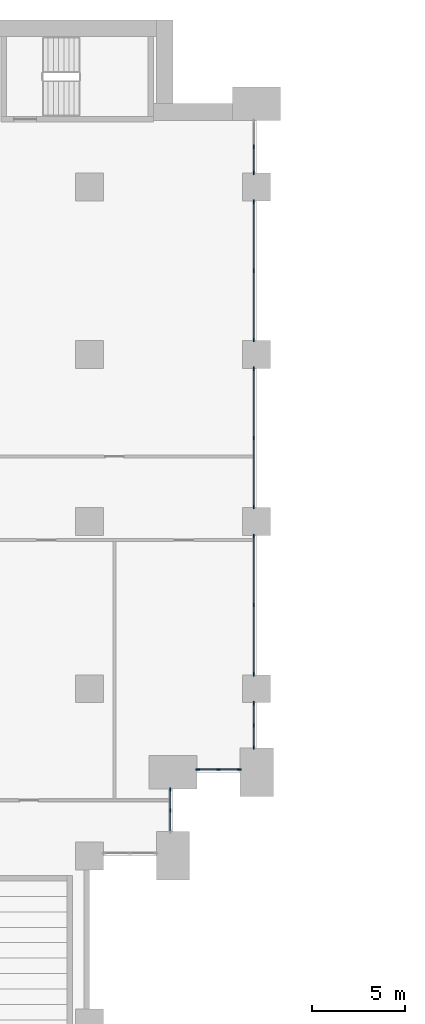
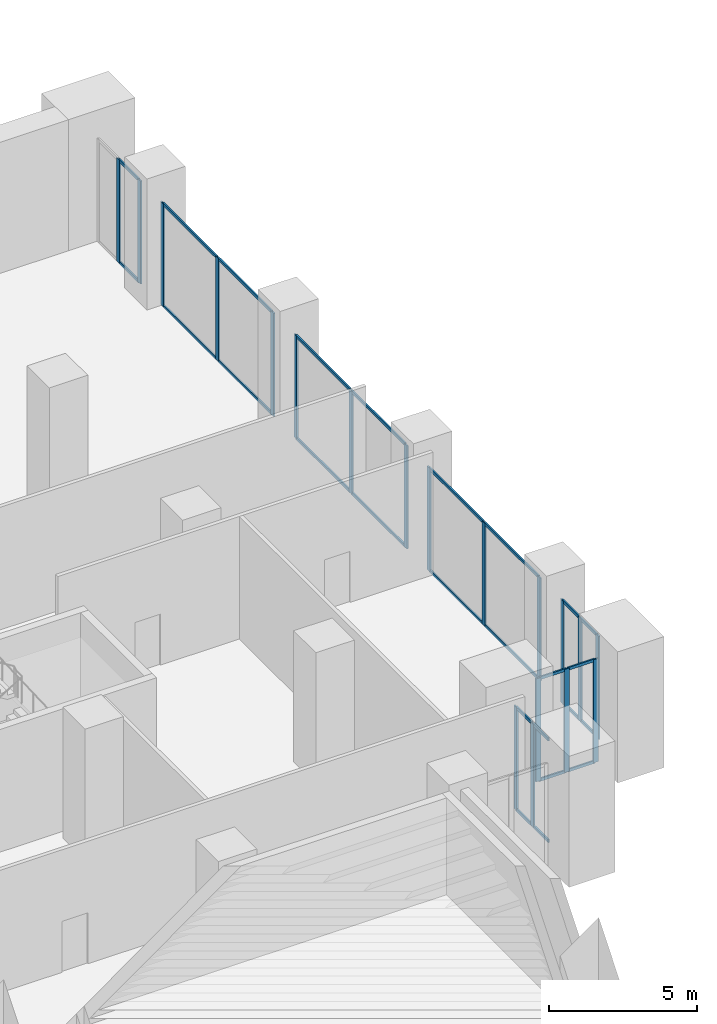
# One storey, part 6 of 44: 45 members, 7 elements without a shape of their own.
"""IFC4 building model written with IfcOpenShell, lengths in metres."""

import ifcopenshell
import ifcopenshell.guid

model = None  # the IFC model being written
_history = None  # IfcOwnerHistory: only IFC2X3 demands one
_inside = {}  # id of a spatial element -> (the spatial element, [elements in it])
_under = {}  # id of a project, library or spatial element -> (it, [spatial elements below it])
_declared = {}  # id of a project -> (the project, [libraries it declares])
_typed = {}  # id of a type object -> (the type object, [elements of that type])
_made_of = {}  # id of a material, layer set ... -> (it, [elements and type objects made of it])


def new_model(schema):
    """Start an empty IFC model of exactly this schema.

    Asked for "IFC4X3", IfcOpenShell would pick the latest addendum, in which some entities
    have other attributes; the version numbers below select the first issue.
    IFC2X3 requires an IfcOwnerHistory on every rooted entity: one is made here for all.
    """
    global model, _history
    if schema == "IFC4X3":
        model = ifcopenshell.file(schema_version=(4, 3, 0, 0))
    else:
        model = ifcopenshell.file(schema=schema)
    _inside.clear()
    _under.clear()
    _declared.clear()
    _typed.clear()
    _made_of.clear()
    _history = None
    if model.schema == "IFC2X3":
        org = make("IfcOrganization", Name="unknown")
        user = make(
            "IfcPersonAndOrganization",
            ThePerson=make("IfcPerson", FamilyName="unknown"),
            TheOrganization=org,
        )
        app = make(
            "IfcApplication",
            ApplicationDeveloper=org,
            Version="unknown",
            ApplicationFullName="unknown",
            ApplicationIdentifier="unknown",
        )
        _history = make(
            "IfcOwnerHistory",
            OwningUser=user,
            OwningApplication=app,
            ChangeAction="ADDED",
            CreationDate=0,
        )
    return model


def make(cls, **values):
    """One entity of the class cls with the attributes given. An attribute that is None is left unset."""
    return model.create_entity(
        cls, **{name: value for name, value in values.items() if value is not None}
    )


def rooted(cls, **values):
    """An entity with a GlobalId (a new one), such as an element, a storey or a relation."""
    return make(cls, GlobalId=ifcopenshell.guid.new(), OwnerHistory=_history, **values)


def si_unit(unit_type, name, prefix=None):
    """IfcSIUnit, for example si_unit("LENGTHUNIT", "METRE", prefix="MILLI")."""
    return make("IfcSIUnit", UnitType=unit_type, Prefix=prefix, Name=name)


def assignment(units):
    """IfcUnitAssignment: the units of a project."""
    return None if units is None else make("IfcUnitAssignment", Units=units)


def point(xyz):
    """IfcCartesianPoint."""
    return None if xyz is None else make("IfcCartesianPoint", Coordinates=xyz)


def direction(xyz):
    """IfcDirection."""
    return None if xyz is None else make("IfcDirection", DirectionRatios=xyz)


def frame(location, z_axis=None, x_axis=None):
    """IfcAxis2Placement3D, a coordinate frame: its origin and axes. An axis left out is left unset."""
    return make(
        "IfcAxis2Placement3D",
        Location=point(location),
        Axis=direction(z_axis),
        RefDirection=direction(x_axis),
    )


def frame_2d(location, x_axis=None):
    """IfcAxis2Placement2D, a coordinate frame in the plane: its origin and x axis."""
    return make(
        "IfcAxis2Placement2D", Location=point(location), RefDirection=direction(x_axis)
    )


def origin():
    """The frame at (0, 0, 0) with its axes left unset."""
    return frame((0.0, 0.0, 0.0))


def origin_2d():
    """The frame at (0, 0) in the plane with its x axis left unset."""
    return frame_2d((0.0, 0.0))


def place(relative_to, where):
    """IfcLocalPlacement: puts the frame where relative to a parent placement (None: the world)."""
    return make(
        "IfcLocalPlacement", PlacementRelTo=relative_to, RelativePlacement=where
    )


def context(
    kind, dimensions, precision=None, world=None, true_north=None, identifier=None
):
    """IfcGeometricRepresentationContext, for example the 3D "Model" context."""
    return make(
        "IfcGeometricRepresentationContext",
        ContextIdentifier=identifier,
        ContextType=kind,
        CoordinateSpaceDimension=dimensions,
        Precision=precision,
        WorldCoordinateSystem=world,
        TrueNorth=true_north,
    )


def subcontext(parent, identifier, kind, view, scale=None):
    """IfcGeometricRepresentationSubContext, for example "Body" below "Model"."""
    return make(
        "IfcGeometricRepresentationSubContext",
        ContextIdentifier=identifier,
        ContextType=kind,
        ParentContext=parent,
        TargetScale=scale,
        TargetView=view,
    )


def project(units=None, contexts=None):
    """IfcProject with its units and contexts."""
    return rooted(
        "IfcProject",
        Name="project",
        RepresentationContexts=contexts,
        UnitsInContext=assignment(units),
    )


def spatial(cls, under=None, at=None, **own):
    """A site, building, storey or space (cls), placed at a placement, below another one or the project."""
    s = rooted(cls, ObjectPlacement=at, **own)
    if under is not None:
        _under.setdefault(under.id(), (under, []))[1].append(s)
    return s


def profile(cls, at=None, kind="AREA", **sizes):
    """A parametric profile (cls). Its sizes go by their IFC names, for example OverallWidth=200.0."""
    return make(cls, ProfileType=kind, Position=at, **sizes)


def rectangle(**sizes):
    """IfcRectangleProfileDef."""
    return profile("IfcRectangleProfileDef", **sizes)


def extrude(swept, where, along, depth):
    """IfcExtrudedAreaSolid: the profile swept, set in the frame where, extruded along a direction by depth."""
    return make(
        "IfcExtrudedAreaSolid",
        SweptArea=swept,
        Position=where,
        ExtrudedDirection=direction(along),
        Depth=depth,
    )


def shape(context_of_items, identifier, shape_type, items):
    """IfcShapeRepresentation: the items that make up one representation, for example the "Body"."""
    return make(
        "IfcShapeRepresentation",
        ContextOfItems=context_of_items,
        RepresentationIdentifier=identifier,
        RepresentationType=shape_type,
        Items=items,
    )


def material(Name=None, Category=None):
    """IfcMaterial."""
    return make("IfcMaterial", Name=Name, Category=Category)


def material_profile(
    of_material, cross_section, Name=None, Category=None, Priority=None
):
    """IfcMaterialProfile: a cross section and its material."""
    return make(
        "IfcMaterialProfile",
        Name=Name,
        Material=of_material,
        Profile=cross_section,
        Priority=Priority,
        Category=Category,
    )


def profile_set(profiles, Name=None, composite=None):
    """IfcMaterialProfileSet."""
    return make(
        "IfcMaterialProfileSet",
        Name=Name,
        MaterialProfiles=profiles,
        CompositeProfile=composite,
    )


def made_of(thing, what):
    """Note that an element or type object is made of a material, layer set ...; save() writes the relation."""
    if what is not None:
        _made_of.setdefault(what.id(), (what, []))[1].append(thing)
    return thing


def type_object(cls, material=None, **own):
    """A type object (cls), such as IfcWallType, which elements share."""
    return made_of(rooted(cls, **own), material)


def element(
    cls,
    number,
    at=None,
    inside=None,
    cuts=None,
    type_object=None,
    material=None,
    context=None,
    identifier="Body",
    shape_type=None,
    held_by="IfcProductDefinitionShape",
    body=None,
    shapes=None,
    **own,
):
    """One element of the class cls, such as IfcWall. Its Tag is "e" and its number.

    at: its placement. inside: the storey or other place that contains it. cuts: it is an
    opening in that element (IfcRelVoidsElement). A single representation is given by context,
    identifier, shape_type and body (its items); several are given by shapes. held_by: the class
    of the entity that holds the representations. save() writes the other relations.
    """
    e = rooted(cls, Tag="e%d" % number, ObjectPlacement=at, **own)
    if body is not None:
        shapes = [shape(context, identifier, shape_type, body)]
    if shapes is not None:
        e.Representation = make(held_by, Representations=shapes)
    if inside is not None:
        _inside.setdefault(inside.id(), (inside, []))[1].append(e)
    if cuts is not None:
        rooted(
            "IfcRelVoidsElement", RelatingBuildingElement=cuts, RelatedOpeningElement=e
        )
    if type_object is not None:
        _typed.setdefault(type_object.id(), (type_object, []))[1].append(e)
    return made_of(e, material)


def aggregate(whole, parts):
    """IfcRelAggregates: a whole, such as a stair, and the parts it consists of."""
    return rooted("IfcRelAggregates", RelatingObject=whole, RelatedObjects=parts)


def save(model, path):
    """Write the relations noted so far, then the file.

    IfcRelAggregates (storeys below a building ...), IfcRelContainedInSpatialStructure (elements
    in a storey), IfcRelDefinesByType, IfcRelAssociatesMaterial and IfcRelDeclares: one each for
    every whole, place, type object, material and project.
    """
    for whole, parts in _under.values():
        aggregate(whole, parts)
    for where, things in _inside.values():
        rooted(
            "IfcRelContainedInSpatialStructure",
            RelatedElements=things,
            RelatingStructure=where,
        )
    for kind, things in _typed.values():
        rooted("IfcRelDefinesByType", RelatedObjects=things, RelatingType=kind)
    for what, things in _made_of.values():
        rooted("IfcRelAssociatesMaterial", RelatedObjects=things, RelatingMaterial=what)
    for by, libraries in _declared.values():
        rooted("IfcRelDeclares", RelatingContext=by, RelatedDefinitions=libraries)
    model.write(path)


model = new_model("IFC4")

# Units and contexts
model_context = context("Model", 3, precision=1e-05, world=origin(), true_north=direction((0.0, 1.0)))
body_context = subcontext(model_context, "Body", "Model", "MODEL_VIEW")
ifc_project = project(units=[si_unit("LENGTHUNIT", "METRE"), si_unit("AREAUNIT", "SQUARE_METRE"), si_unit("VOLUMEUNIT", "CUBIC_METRE"), si_unit("PLANEANGLEUNIT", "RADIAN"), si_unit("MASSUNIT", "GRAM", prefix="KILO")], contexts=[model_context])

# Site, building, storey
site_placement = place(None, origin())
site = spatial("IfcSite", under=ifc_project, at=site_placement, CompositionType="ELEMENT")
building_placement = place(site_placement, origin())
building = spatial("IfcBuilding", under=site, at=building_placement, Name="Hunhe Ridgeline Campus", CompositionType="ELEMENT")
storey_placement = place(building_placement, frame((0.0, 0.0, 6.0)))
storey = spatial("IfcBuildingStorey", under=building, at=storey_placement, Name="L01", CompositionType="ELEMENT", Elevation=6.0)

# Curtain wall, members
ifc_material_1 = material(Name="Aluminium and glass", Category="aluminium")
curtain_wall_type = type_object("IfcCurtainWallType", Name="Podium curtain wall CW-2", PredefinedType="NOTDEFINED", material=ifc_material_1)
curtain_wall_1_placement = place(storey_placement, origin())
curtain_wall_1 = element("IfcCurtainWall", 1, at=curtain_wall_1_placement, inside=storey, type_object=curtain_wall_type, Name="L01 podium curtain wall 2", PredefinedType="NOTDEFINED")
ifc_material_2 = material(Name="Aluminium", Category="aluminium")
ifc_material_profile_1 = material_profile(ifc_material_2, rectangle(XDim=0.06005859375, YDim=0.199951171875, at=origin_2d()))
ifc_profile_set_1 = profile_set([ifc_material_profile_1], Name="Aluminium")
member_type_1 = type_object("IfcMemberType", Name="CW-2 mullion 60x200", PredefinedType="MULLION", material=ifc_profile_set_1)
member_1_placement = place(storey_placement, frame((94.35009765625, 56.449951171875, 0.0), z_axis=(0.0, 0.0, 1.0), x_axis=(-1.0, 0.0, 0.0)))
member_1 = element("IfcMember", 2, at=member_1_placement, type_object=member_type_1, Name="CW2 mullion 2", PredefinedType="MULLION", context=body_context, shape_type="SweptSolid", body=[
    extrude(rectangle(XDim=0.06005859375, YDim=0.199951171875, at=origin_2d()), origin(), (0.0, 0.0, 1.0), 4.25),
])
member_2_placement = place(storey_placement, frame((94.35009765625, 57.570068359375, 0.0), z_axis=(0.0, 0.0, 1.0), x_axis=(-1.0, 0.0, 0.0)))
member_2 = element("IfcMember", 3, at=member_2_placement, type_object=member_type_1, Name="CW2 mullion 3", PredefinedType="MULLION", context=body_context, shape_type="SweptSolid", body=[
    extrude(rectangle(XDim=0.06005859375, YDim=0.199951171875, at=origin_2d()), origin(), (0.0, 0.0, 1.0), 4.25),
])

curtain_wall_2_placement = place(storey_placement, origin())
curtain_wall_2 = element("IfcCurtainWall", 4, at=curtain_wall_2_placement, inside=storey, type_object=curtain_wall_type, Name="L01 podium curtain wall 3", PredefinedType="NOTDEFINED")
member_3_placement = place(storey_placement, frame((95.830078125, 58.64990234375, 0.0), z_axis=(0.0, 0.0, 1.0), x_axis=(0.0, 1.0, 0.0)))
member_3 = element("IfcMember", 5, at=member_3_placement, type_object=member_type_1, Name="CW2 mullion 1", PredefinedType="MULLION", context=body_context, shape_type="SweptSolid", body=[
    extrude(rectangle(XDim=0.06005859375, YDim=0.199951171875, at=origin_2d()), origin(), (0.0, 0.0, 1.0), 4.25),
])
member_4_placement = place(storey_placement, frame((96.949951171875, 58.64990234375, 0.0), z_axis=(0.0, 0.0, 1.0), x_axis=(0.0, 1.0, 0.0)))
member_4 = element("IfcMember", 6, at=member_4_placement, type_object=member_type_1, Name="CW2 mullion 2", PredefinedType="MULLION", context=body_context, shape_type="SweptSolid", body=[
    extrude(rectangle(XDim=0.06005859375, YDim=0.199951171875, at=origin_2d()), origin(), (0.0, 0.0, 1.0), 4.25),
])
member_5_placement = place(storey_placement, frame((98.070068359375, 58.64990234375, 0.0), z_axis=(0.0, 0.0, 1.0), x_axis=(0.0, 1.0, 0.0)))
member_5 = element("IfcMember", 7, at=member_5_placement, type_object=member_type_1, Name="CW2 mullion 3", PredefinedType="MULLION", context=body_context, shape_type="SweptSolid", body=[
    extrude(rectangle(XDim=0.06005859375, YDim=0.199951171875, at=origin_2d()), origin(), (0.0, 0.0, 1.0), 4.25),
])

curtain_wall_3_placement = place(storey_placement, origin())
curtain_wall_3 = element("IfcCurtainWall", 8, at=curtain_wall_3_placement, inside=storey, type_object=curtain_wall_type, Name="L01 podium curtain wall 4", PredefinedType="NOTDEFINED")
member_6_placement = place(storey_placement, frame((98.85009765625, 59.830078125, 0.0), z_axis=(0.0, 0.0, 1.0), x_axis=(-1.0, 0.0, 0.0)))
member_6 = element("IfcMember", 9, at=member_6_placement, type_object=member_type_1, Name="CW2 mullion 1", PredefinedType="MULLION", context=body_context, shape_type="SweptSolid", body=[
    extrude(rectangle(XDim=0.06005859375, YDim=0.199951171875, at=origin_2d()), origin(), (0.0, 0.0, 1.0), 4.25),
])
member_7_placement = place(storey_placement, frame((98.85009765625, 61.02490234375, 0.0), z_axis=(0.0, 0.0, 1.0), x_axis=(-1.0, 0.0, 0.0)))
member_7 = element("IfcMember", 10, at=member_7_placement, type_object=member_type_1, Name="CW2 mullion 2", PredefinedType="MULLION", context=body_context, shape_type="SweptSolid", body=[
    extrude(rectangle(XDim=0.06005859375, YDim=0.199951171875, at=origin_2d()), origin(), (0.0, 0.0, 1.0), 4.25),
])
member_8_placement = place(storey_placement, frame((98.85009765625, 62.219970703125, 0.0), z_axis=(0.0, 0.0, 1.0), x_axis=(-1.0, 0.0, 0.0)))
member_8 = element("IfcMember", 11, at=member_8_placement, type_object=member_type_1, Name="CW2 mullion 3", PredefinedType="MULLION", context=body_context, shape_type="SweptSolid", body=[
    extrude(rectangle(XDim=0.06005859375, YDim=0.199951171875, at=origin_2d()), origin(), (0.0, 0.0, 1.0), 4.25),
])

curtain_wall_4_placement = place(storey_placement, origin())
curtain_wall_4 = element("IfcCurtainWall", 12, at=curtain_wall_4_placement, inside=storey, type_object=curtain_wall_type, Name="L01 podium curtain wall 5", PredefinedType="NOTDEFINED")
member_9_placement = place(storey_placement, frame((98.85009765625, 63.780029296875, 0.0), z_axis=(0.0, 0.0, 1.0), x_axis=(-1.0, 0.0, 0.0)))
member_9 = element("IfcMember", 13, at=member_9_placement, type_object=member_type_1, Name="CW2 mullion 1", PredefinedType="MULLION", context=body_context, shape_type="SweptSolid", body=[
    extrude(rectangle(XDim=0.06005859375, YDim=0.199951171875, at=origin_2d()), origin(), (0.0, 0.0, 1.0), 4.25),
])
member_10_placement = place(storey_placement, frame((98.85009765625, 67.5, 0.0), z_axis=(0.0, 0.0, 1.0), x_axis=(-1.0, 0.0, 0.0)))
member_10 = element("IfcMember", 14, at=member_10_placement, type_object=member_type_1, Name="CW2 mullion 2", PredefinedType="MULLION", context=body_context, shape_type="SweptSolid", body=[
    extrude(rectangle(XDim=0.06005859375, YDim=0.199951171875, at=origin_2d()), origin(), (0.0, 0.0, 1.0), 4.25),
])
member_11_placement = place(storey_placement, frame((98.85009765625, 71.219970703125, 0.0), z_axis=(0.0, 0.0, 1.0), x_axis=(-1.0, 0.0, 0.0)))
member_11 = element("IfcMember", 15, at=member_11_placement, type_object=member_type_1, Name="CW2 mullion 3", PredefinedType="MULLION", context=body_context, shape_type="SweptSolid", body=[
    extrude(rectangle(XDim=0.06005859375, YDim=0.199951171875, at=origin_2d()), origin(), (0.0, 0.0, 1.0), 4.25),
])

curtain_wall_5_placement = place(storey_placement, origin())
curtain_wall_5 = element("IfcCurtainWall", 16, at=curtain_wall_5_placement, inside=storey, type_object=curtain_wall_type, Name="L01 podium curtain wall 6", PredefinedType="NOTDEFINED")
member_12_placement = place(storey_placement, frame((98.85009765625, 72.780029296875, 0.0), z_axis=(0.0, 0.0, 1.0), x_axis=(-1.0, 0.0, 0.0)))
member_12 = element("IfcMember", 17, at=member_12_placement, type_object=member_type_1, Name="CW2 mullion 1", PredefinedType="MULLION", context=body_context, shape_type="SweptSolid", body=[
    extrude(rectangle(XDim=0.06005859375, YDim=0.199951171875, at=origin_2d()), origin(), (0.0, 0.0, 1.0), 4.25),
])
member_13_placement = place(storey_placement, frame((98.85009765625, 76.5, 0.0), z_axis=(0.0, 0.0, 1.0), x_axis=(-1.0, 0.0, 0.0)))
member_13 = element("IfcMember", 18, at=member_13_placement, type_object=member_type_1, Name="CW2 mullion 2", PredefinedType="MULLION", context=body_context, shape_type="SweptSolid", body=[
    extrude(rectangle(XDim=0.06005859375, YDim=0.199951171875, at=origin_2d()), origin(), (0.0, 0.0, 1.0), 4.25),
])
member_14_placement = place(storey_placement, frame((98.85009765625, 80.219970703125, 0.0), z_axis=(0.0, 0.0, 1.0), x_axis=(-1.0, 0.0, 0.0)))
member_14 = element("IfcMember", 19, at=member_14_placement, type_object=member_type_1, Name="CW2 mullion 3", PredefinedType="MULLION", context=body_context, shape_type="SweptSolid", body=[
    extrude(rectangle(XDim=0.06005859375, YDim=0.199951171875, at=origin_2d()), origin(), (0.0, 0.0, 1.0), 4.25),
])

curtain_wall_6_placement = place(storey_placement, origin())
curtain_wall_6 = element("IfcCurtainWall", 20, at=curtain_wall_6_placement, inside=storey, type_object=curtain_wall_type, Name="L01 podium curtain wall 7", PredefinedType="NOTDEFINED")
member_15_placement = place(storey_placement, frame((98.85009765625, 81.780029296875, 0.0), z_axis=(0.0, 0.0, 1.0), x_axis=(-1.0, 0.0, 0.0)))
member_15 = element("IfcMember", 21, at=member_15_placement, type_object=member_type_1, Name="CW2 mullion 1", PredefinedType="MULLION", context=body_context, shape_type="SweptSolid", body=[
    extrude(rectangle(XDim=0.06005859375, YDim=0.199951171875, at=origin_2d()), origin(), (0.0, 0.0, 1.0), 4.25),
])
member_16_placement = place(storey_placement, frame((98.85009765625, 85.5, 0.0), z_axis=(0.0, 0.0, 1.0), x_axis=(-1.0, 0.0, 0.0)))
member_16 = element("IfcMember", 22, at=member_16_placement, type_object=member_type_1, Name="CW2 mullion 2", PredefinedType="MULLION", context=body_context, shape_type="SweptSolid", body=[
    extrude(rectangle(XDim=0.06005859375, YDim=0.199951171875, at=origin_2d()), origin(), (0.0, 0.0, 1.0), 4.25),
])
member_17_placement = place(storey_placement, frame((98.85009765625, 89.219970703125, 0.0), z_axis=(0.0, 0.0, 1.0), x_axis=(-1.0, 0.0, 0.0)))
member_17 = element("IfcMember", 23, at=member_17_placement, type_object=member_type_1, Name="CW2 mullion 3", PredefinedType="MULLION", context=body_context, shape_type="SweptSolid", body=[
    extrude(rectangle(XDim=0.06005859375, YDim=0.199951171875, at=origin_2d()), origin(), (0.0, 0.0, 1.0), 4.25),
])

curtain_wall_7_placement = place(storey_placement, origin())
curtain_wall_7 = element("IfcCurtainWall", 24, at=curtain_wall_7_placement, inside=storey, type_object=curtain_wall_type, Name="L01 podium curtain wall 8", PredefinedType="NOTDEFINED")
member_18_placement = place(storey_placement, frame((98.85009765625, 90.780029296875, 0.0), z_axis=(0.0, 0.0, 1.0), x_axis=(-1.0, 0.0, 0.0)))
member_18 = element("IfcMember", 25, at=member_18_placement, type_object=member_type_1, Name="CW2 mullion 1", PredefinedType="MULLION", context=body_context, shape_type="SweptSolid", body=[
    extrude(rectangle(XDim=0.06005859375, YDim=0.199951171875, at=origin_2d()), origin(), (0.0, 0.0, 1.0), 4.25),
])
member_19_placement = place(storey_placement, frame((98.85009765625, 92.175048828125, 0.0), z_axis=(0.0, 0.0, 1.0), x_axis=(-1.0, 0.0, 0.0)))
member_19 = element("IfcMember", 26, at=member_19_placement, type_object=member_type_1, Name="CW2 mullion 2", PredefinedType="MULLION", context=body_context, shape_type="SweptSolid", body=[
    extrude(rectangle(XDim=0.06005859375, YDim=0.199951171875, at=origin_2d()), origin(), (0.0, 0.0, 1.0), 4.25),
])

# Member
ifc_material_profile_2 = material_profile(ifc_material_2, rectangle(XDim=0.06005859375, YDim=0.1201171875, at=origin_2d()))
ifc_profile_set_2 = profile_set([ifc_material_profile_2], Name="Aluminium")
member_type_2 = type_object("IfcMemberType", Name="CW-2 transom 60x120", PredefinedType="USERDEFINED", material=ifc_profile_set_2)
member_20_placement = place(storey_placement, frame((94.35009765625, 55.360107421875, 0.030029296875), z_axis=(0.0, 1.0, 0.0), x_axis=(-1.0, 0.0, 0.0)))
member_20 = element("IfcMember", 27, at=member_20_placement, type_object=member_type_2, Name="CW2 transom 1.1", ObjectType="TRANSOM", PredefinedType="USERDEFINED", context=body_context, shape_type="SweptSolid", body=[
    extrude(rectangle(XDim=0.06005859375, YDim=0.1201171875, at=origin_2d()), origin(), (0.0, 0.0, 1.0), 1.059814453125),
])

member_21_placement = place(storey_placement, frame((94.35009765625, 55.360107421875, 4.219970703125), z_axis=(0.0, 1.0, 0.0), x_axis=(-1.0, 0.0, 0.0)))
member_21 = element("IfcMember", 28, at=member_21_placement, type_object=member_type_2, Name="CW2 transom 1.2", ObjectType="TRANSOM", PredefinedType="USERDEFINED", context=body_context, shape_type="SweptSolid", body=[
    extrude(rectangle(XDim=0.06005859375, YDim=0.1201171875, at=origin_2d()), origin(), (0.0, 0.0, 1.0), 1.059814453125),
])

member_22_placement = place(storey_placement, frame((94.35009765625, 56.47998046875, 0.030029296875), z_axis=(0.0, 1.0, 0.0), x_axis=(-1.0, 0.0, 0.0)))
member_22 = element("IfcMember", 29, at=member_22_placement, type_object=member_type_2, Name="CW2 transom 2.1", ObjectType="TRANSOM", PredefinedType="USERDEFINED", context=body_context, shape_type="SweptSolid", body=[
    extrude(rectangle(XDim=0.06005859375, YDim=0.1201171875, at=origin_2d()), origin(), (0.0, 0.0, 1.0), 1.06005859375),
])

member_23_placement = place(storey_placement, frame((94.35009765625, 56.47998046875, 4.219970703125), z_axis=(0.0, 1.0, 0.0), x_axis=(-1.0, 0.0, 0.0)))
member_23 = element("IfcMember", 30, at=member_23_placement, type_object=member_type_2, Name="CW2 transom 2.2", ObjectType="TRANSOM", PredefinedType="USERDEFINED", context=body_context, shape_type="SweptSolid", body=[
    extrude(rectangle(XDim=0.06005859375, YDim=0.1201171875, at=origin_2d()), origin(), (0.0, 0.0, 1.0), 1.06005859375),
])

aggregate(curtain_wall_1, [member_1, member_2, member_20, member_21, member_22, member_23])

member_24_placement = place(storey_placement, frame((95.860107421875, 58.64990234375, 0.030029296875), z_axis=(1.0, 0.0, 0.0), x_axis=(0.0, 1.0, 0.0)))
member_24 = element("IfcMember", 31, at=member_24_placement, type_object=member_type_2, Name="CW2 transom 1.1", ObjectType="TRANSOM", PredefinedType="USERDEFINED", context=body_context, shape_type="SweptSolid", body=[
    extrude(rectangle(XDim=0.06005859375, YDim=0.1201171875, at=origin_2d()), origin(), (0.0, 0.0, 1.0), 1.059814453125),
])

member_25_placement = place(storey_placement, frame((95.860107421875, 58.64990234375, 4.219970703125), z_axis=(1.0, 0.0, 0.0), x_axis=(0.0, 1.0, 0.0)))
member_25 = element("IfcMember", 32, at=member_25_placement, type_object=member_type_2, Name="CW2 transom 1.2", ObjectType="TRANSOM", PredefinedType="USERDEFINED", context=body_context, shape_type="SweptSolid", body=[
    extrude(rectangle(XDim=0.06005859375, YDim=0.1201171875, at=origin_2d()), origin(), (0.0, 0.0, 1.0), 1.059814453125),
])

member_26_placement = place(storey_placement, frame((96.97998046875, 58.64990234375, 0.030029296875), z_axis=(1.0, 0.0, 0.0), x_axis=(0.0, 1.0, 0.0)))
member_26 = element("IfcMember", 33, at=member_26_placement, type_object=member_type_2, Name="CW2 transom 2.1", ObjectType="TRANSOM", PredefinedType="USERDEFINED", context=body_context, shape_type="SweptSolid", body=[
    extrude(rectangle(XDim=0.06005859375, YDim=0.1201171875, at=origin_2d()), origin(), (0.0, 0.0, 1.0), 1.06005859375),
])

member_27_placement = place(storey_placement, frame((96.97998046875, 58.64990234375, 4.219970703125), z_axis=(1.0, 0.0, 0.0), x_axis=(0.0, 1.0, 0.0)))
member_27 = element("IfcMember", 34, at=member_27_placement, type_object=member_type_2, Name="CW2 transom 2.2", ObjectType="TRANSOM", PredefinedType="USERDEFINED", context=body_context, shape_type="SweptSolid", body=[
    extrude(rectangle(XDim=0.06005859375, YDim=0.1201171875, at=origin_2d()), origin(), (0.0, 0.0, 1.0), 1.06005859375),
])

aggregate(curtain_wall_2, [member_3, member_4, member_5, member_24, member_25, member_26, member_27])

member_28_placement = place(storey_placement, frame((98.85009765625, 59.860107421875, 0.030029296875), z_axis=(0.0, 1.0, 0.0), x_axis=(-1.0, 0.0, 0.0)))
member_28 = element("IfcMember", 35, at=member_28_placement, type_object=member_type_2, Name="CW2 transom 1.1", ObjectType="TRANSOM", PredefinedType="USERDEFINED", context=body_context, shape_type="SweptSolid", body=[
    extrude(rectangle(XDim=0.06005859375, YDim=0.1201171875, at=origin_2d()), origin(), (0.0, 0.0, 1.0), 1.135009765625),
])

member_29_placement = place(storey_placement, frame((98.85009765625, 59.860107421875, 4.219970703125), z_axis=(0.0, 1.0, 0.0), x_axis=(-1.0, 0.0, 0.0)))
member_29 = element("IfcMember", 36, at=member_29_placement, type_object=member_type_2, Name="CW2 transom 1.2", ObjectType="TRANSOM", PredefinedType="USERDEFINED", context=body_context, shape_type="SweptSolid", body=[
    extrude(rectangle(XDim=0.06005859375, YDim=0.1201171875, at=origin_2d()), origin(), (0.0, 0.0, 1.0), 1.135009765625),
])

member_30_placement = place(storey_placement, frame((98.85009765625, 61.054931640625, 0.030029296875), z_axis=(0.0, 1.0, 0.0), x_axis=(-1.0, 0.0, 0.0)))
member_30 = element("IfcMember", 37, at=member_30_placement, type_object=member_type_2, Name="CW2 transom 2.1", ObjectType="TRANSOM", PredefinedType="USERDEFINED", context=body_context, shape_type="SweptSolid", body=[
    extrude(rectangle(XDim=0.06005859375, YDim=0.1201171875, at=origin_2d()), origin(), (0.0, 0.0, 1.0), 1.135009765625),
])

member_31_placement = place(storey_placement, frame((98.85009765625, 61.054931640625, 4.219970703125), z_axis=(0.0, 1.0, 0.0), x_axis=(-1.0, 0.0, 0.0)))
member_31 = element("IfcMember", 38, at=member_31_placement, type_object=member_type_2, Name="CW2 transom 2.2", ObjectType="TRANSOM", PredefinedType="USERDEFINED", context=body_context, shape_type="SweptSolid", body=[
    extrude(rectangle(XDim=0.06005859375, YDim=0.1201171875, at=origin_2d()), origin(), (0.0, 0.0, 1.0), 1.135009765625),
])

aggregate(curtain_wall_3, [member_6, member_7, member_8, member_28, member_29, member_30, member_31])

member_32_placement = place(storey_placement, frame((98.85009765625, 63.81005859375, 0.030029296875), z_axis=(0.0, 1.0, 0.0), x_axis=(-1.0, 0.0, 0.0)))
member_32 = element("IfcMember", 39, at=member_32_placement, type_object=member_type_2, Name="CW2 transom 1.1", ObjectType="TRANSOM", PredefinedType="USERDEFINED", context=body_context, shape_type="SweptSolid", body=[
    extrude(rectangle(XDim=0.06005859375, YDim=0.1201171875, at=origin_2d()), origin(), (0.0, 0.0, 1.0), 3.659912109375),
])

member_33_placement = place(storey_placement, frame((98.85009765625, 63.81005859375, 4.219970703125), z_axis=(0.0, 1.0, 0.0), x_axis=(-1.0, 0.0, 0.0)))
member_33 = element("IfcMember", 40, at=member_33_placement, type_object=member_type_2, Name="CW2 transom 1.2", ObjectType="TRANSOM", PredefinedType="USERDEFINED", context=body_context, shape_type="SweptSolid", body=[
    extrude(rectangle(XDim=0.06005859375, YDim=0.1201171875, at=origin_2d()), origin(), (0.0, 0.0, 1.0), 3.659912109375),
])

member_34_placement = place(storey_placement, frame((98.85009765625, 67.530029296875, 0.030029296875), z_axis=(0.0, 1.0, 0.0), x_axis=(-1.0, 0.0, 0.0)))
member_34 = element("IfcMember", 41, at=member_34_placement, type_object=member_type_2, Name="CW2 transom 2.1", ObjectType="TRANSOM", PredefinedType="USERDEFINED", context=body_context, shape_type="SweptSolid", body=[
    extrude(rectangle(XDim=0.06005859375, YDim=0.1201171875, at=origin_2d()), origin(), (0.0, 0.0, 1.0), 3.659912109375),
])

member_35_placement = place(storey_placement, frame((98.85009765625, 67.530029296875, 4.219970703125), z_axis=(0.0, 1.0, 0.0), x_axis=(-1.0, 0.0, 0.0)))
member_35 = element("IfcMember", 42, at=member_35_placement, type_object=member_type_2, Name="CW2 transom 2.2", ObjectType="TRANSOM", PredefinedType="USERDEFINED", context=body_context, shape_type="SweptSolid", body=[
    extrude(rectangle(XDim=0.06005859375, YDim=0.1201171875, at=origin_2d()), origin(), (0.0, 0.0, 1.0), 3.659912109375),
])

aggregate(curtain_wall_4, [member_9, member_10, member_11, member_32, member_33, member_34, member_35])

member_36_placement = place(storey_placement, frame((98.85009765625, 72.81005859375, 0.030029296875), z_axis=(0.0, 1.0, 0.0), x_axis=(-1.0, 0.0, 0.0)))
member_36 = element("IfcMember", 43, at=member_36_placement, type_object=member_type_2, Name="CW2 transom 1.1", ObjectType="TRANSOM", PredefinedType="USERDEFINED", context=body_context, shape_type="SweptSolid", body=[
    extrude(rectangle(XDim=0.06005859375, YDim=0.1201171875, at=origin_2d()), origin(), (0.0, 0.0, 1.0), 3.659912109375),
])

member_37_placement = place(storey_placement, frame((98.85009765625, 72.81005859375, 4.219970703125), z_axis=(0.0, 1.0, 0.0), x_axis=(-1.0, 0.0, 0.0)))
member_37 = element("IfcMember", 44, at=member_37_placement, type_object=member_type_2, Name="CW2 transom 1.2", ObjectType="TRANSOM", PredefinedType="USERDEFINED", context=body_context, shape_type="SweptSolid", body=[
    extrude(rectangle(XDim=0.06005859375, YDim=0.1201171875, at=origin_2d()), origin(), (0.0, 0.0, 1.0), 3.659912109375),
])

member_38_placement = place(storey_placement, frame((98.85009765625, 76.530029296875, 0.030029296875), z_axis=(0.0, 1.0, 0.0), x_axis=(-1.0, 0.0, 0.0)))
member_38 = element("IfcMember", 45, at=member_38_placement, type_object=member_type_2, Name="CW2 transom 2.1", ObjectType="TRANSOM", PredefinedType="USERDEFINED", context=body_context, shape_type="SweptSolid", body=[
    extrude(rectangle(XDim=0.06005859375, YDim=0.1201171875, at=origin_2d()), origin(), (0.0, 0.0, 1.0), 3.659912109375),
])

member_39_placement = place(storey_placement, frame((98.85009765625, 76.530029296875, 4.219970703125), z_axis=(0.0, 1.0, 0.0), x_axis=(-1.0, 0.0, 0.0)))
member_39 = element("IfcMember", 46, at=member_39_placement, type_object=member_type_2, Name="CW2 transom 2.2", ObjectType="TRANSOM", PredefinedType="USERDEFINED", context=body_context, shape_type="SweptSolid", body=[
    extrude(rectangle(XDim=0.06005859375, YDim=0.1201171875, at=origin_2d()), origin(), (0.0, 0.0, 1.0), 3.659912109375),
])

aggregate(curtain_wall_5, [member_12, member_13, member_14, member_36, member_37, member_38, member_39])

member_40_placement = place(storey_placement, frame((98.85009765625, 81.81005859375, 0.030029296875), z_axis=(0.0, 1.0, 0.0), x_axis=(-1.0, 0.0, 0.0)))
member_40 = element("IfcMember", 47, at=member_40_placement, type_object=member_type_2, Name="CW2 transom 1.1", ObjectType="TRANSOM", PredefinedType="USERDEFINED", context=body_context, shape_type="SweptSolid", body=[
    extrude(rectangle(XDim=0.06005859375, YDim=0.1201171875, at=origin_2d()), origin(), (0.0, 0.0, 1.0), 3.659912109375),
])

member_41_placement = place(storey_placement, frame((98.85009765625, 81.81005859375, 4.219970703125), z_axis=(0.0, 1.0, 0.0), x_axis=(-1.0, 0.0, 0.0)))
member_41 = element("IfcMember", 48, at=member_41_placement, type_object=member_type_2, Name="CW2 transom 1.2", ObjectType="TRANSOM", PredefinedType="USERDEFINED", context=body_context, shape_type="SweptSolid", body=[
    extrude(rectangle(XDim=0.06005859375, YDim=0.1201171875, at=origin_2d()), origin(), (0.0, 0.0, 1.0), 3.659912109375),
])

member_42_placement = place(storey_placement, frame((98.85009765625, 85.530029296875, 0.030029296875), z_axis=(0.0, 1.0, 0.0), x_axis=(-1.0, 0.0, 0.0)))
member_42 = element("IfcMember", 49, at=member_42_placement, type_object=member_type_2, Name="CW2 transom 2.1", ObjectType="TRANSOM", PredefinedType="USERDEFINED", context=body_context, shape_type="SweptSolid", body=[
    extrude(rectangle(XDim=0.06005859375, YDim=0.1201171875, at=origin_2d()), origin(), (0.0, 0.0, 1.0), 3.659912109375),
])

member_43_placement = place(storey_placement, frame((98.85009765625, 85.530029296875, 4.219970703125), z_axis=(0.0, 1.0, 0.0), x_axis=(-1.0, 0.0, 0.0)))
member_43 = element("IfcMember", 50, at=member_43_placement, type_object=member_type_2, Name="CW2 transom 2.2", ObjectType="TRANSOM", PredefinedType="USERDEFINED", context=body_context, shape_type="SweptSolid", body=[
    extrude(rectangle(XDim=0.06005859375, YDim=0.1201171875, at=origin_2d()), origin(), (0.0, 0.0, 1.0), 3.659912109375),
])

aggregate(curtain_wall_6, [member_15, member_16, member_17, member_40, member_41, member_42, member_43])

member_44_placement = place(storey_placement, frame((98.85009765625, 90.81005859375, 0.030029296875), z_axis=(0.0, 1.0, 0.0), x_axis=(-1.0, 0.0, 0.0)))
member_44 = element("IfcMember", 51, at=member_44_placement, type_object=member_type_2, Name="CW2 transom 1.1", ObjectType="TRANSOM", PredefinedType="USERDEFINED", context=body_context, shape_type="SweptSolid", body=[
    extrude(rectangle(XDim=0.06005859375, YDim=0.1201171875, at=origin_2d()), origin(), (0.0, 0.0, 1.0), 1.3349609375),
])

member_45_placement = place(storey_placement, frame((98.85009765625, 90.81005859375, 4.219970703125), z_axis=(0.0, 1.0, 0.0), x_axis=(-1.0, 0.0, 0.0)))
member_45 = element("IfcMember", 52, at=member_45_placement, type_object=member_type_2, Name="CW2 transom 1.2", ObjectType="TRANSOM", PredefinedType="USERDEFINED", context=body_context, shape_type="SweptSolid", body=[
    extrude(rectangle(XDim=0.06005859375, YDim=0.1201171875, at=origin_2d()), origin(), (0.0, 0.0, 1.0), 1.3349609375),
])

aggregate(curtain_wall_7, [member_18, member_19, member_44, member_45])

save(model, "model.ifc")
